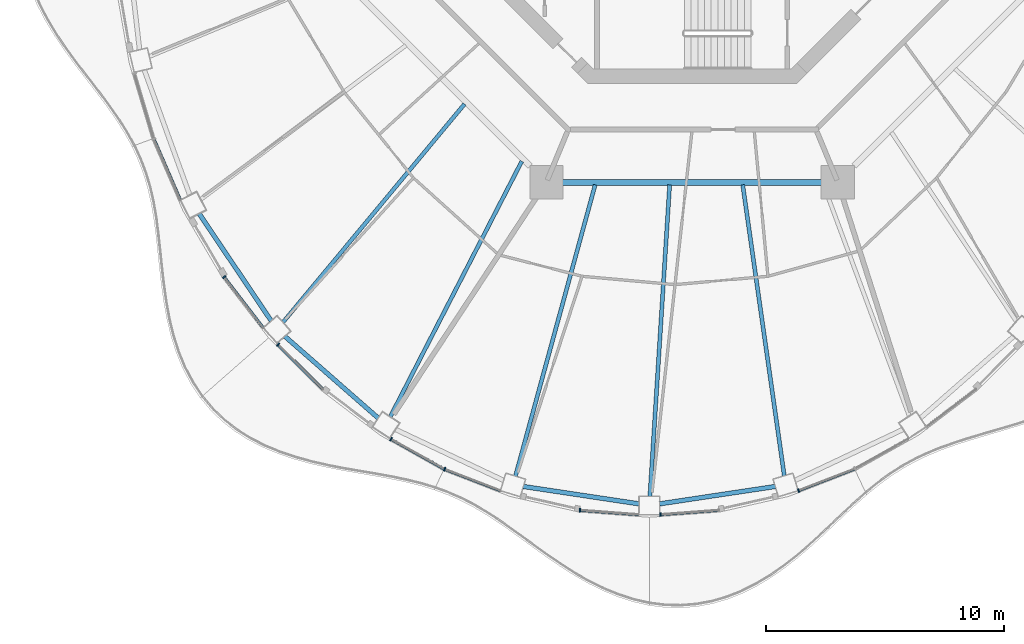
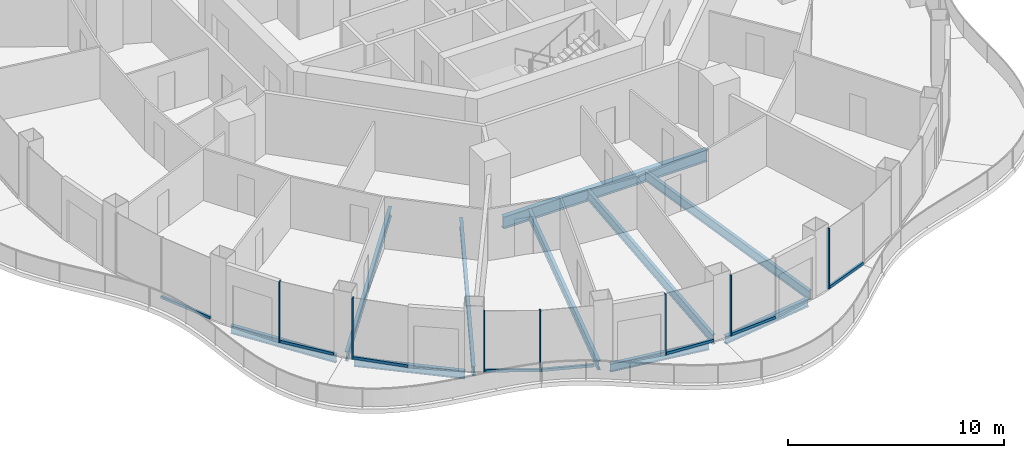
# One storey, part 2 of 17: 15 members, 10 beams, 8 elements without a shape of their own.
"""IFC4 building model written with IfcOpenShell, lengths in metres."""

import ifcopenshell
import ifcopenshell.guid

model = None  # the IFC model being written
_history = None  # IfcOwnerHistory: only IFC2X3 demands one
_inside = {}  # id of a spatial element -> (the spatial element, [elements in it])
_under = {}  # id of a project, library or spatial element -> (it, [spatial elements below it])
_declared = {}  # id of a project -> (the project, [libraries it declares])
_typed = {}  # id of a type object -> (the type object, [elements of that type])
_made_of = {}  # id of a material, layer set ... -> (it, [elements and type objects made of it])


def new_model(schema):
    """Start an empty IFC model of exactly this schema.

    Asked for "IFC4X3", IfcOpenShell would pick the latest addendum, in which some entities
    have other attributes; the version numbers below select the first issue.
    IFC2X3 requires an IfcOwnerHistory on every rooted entity: one is made here for all.
    """
    global model, _history
    if schema == "IFC4X3":
        model = ifcopenshell.file(schema_version=(4, 3, 0, 0))
    else:
        model = ifcopenshell.file(schema=schema)
    _inside.clear()
    _under.clear()
    _declared.clear()
    _typed.clear()
    _made_of.clear()
    _history = None
    if model.schema == "IFC2X3":
        org = make("IfcOrganization", Name="unknown")
        user = make(
            "IfcPersonAndOrganization",
            ThePerson=make("IfcPerson", FamilyName="unknown"),
            TheOrganization=org,
        )
        app = make(
            "IfcApplication",
            ApplicationDeveloper=org,
            Version="unknown",
            ApplicationFullName="unknown",
            ApplicationIdentifier="unknown",
        )
        _history = make(
            "IfcOwnerHistory",
            OwningUser=user,
            OwningApplication=app,
            ChangeAction="ADDED",
            CreationDate=0,
        )
    return model


def make(cls, **values):
    """One entity of the class cls with the attributes given. An attribute that is None is left unset."""
    return model.create_entity(
        cls, **{name: value for name, value in values.items() if value is not None}
    )


def rooted(cls, **values):
    """An entity with a GlobalId (a new one), such as an element, a storey or a relation."""
    return make(cls, GlobalId=ifcopenshell.guid.new(), OwnerHistory=_history, **values)


def si_unit(unit_type, name, prefix=None):
    """IfcSIUnit, for example si_unit("LENGTHUNIT", "METRE", prefix="MILLI")."""
    return make("IfcSIUnit", UnitType=unit_type, Prefix=prefix, Name=name)


def assignment(units):
    """IfcUnitAssignment: the units of a project."""
    return None if units is None else make("IfcUnitAssignment", Units=units)


def point(xyz):
    """IfcCartesianPoint."""
    return None if xyz is None else make("IfcCartesianPoint", Coordinates=xyz)


def direction(xyz):
    """IfcDirection."""
    return None if xyz is None else make("IfcDirection", DirectionRatios=xyz)


def frame(location, z_axis=None, x_axis=None):
    """IfcAxis2Placement3D, a coordinate frame: its origin and axes. An axis left out is left unset."""
    return make(
        "IfcAxis2Placement3D",
        Location=point(location),
        Axis=direction(z_axis),
        RefDirection=direction(x_axis),
    )


def frame_2d(location, x_axis=None):
    """IfcAxis2Placement2D, a coordinate frame in the plane: its origin and x axis."""
    return make(
        "IfcAxis2Placement2D", Location=point(location), RefDirection=direction(x_axis)
    )


def origin():
    """The frame at (0, 0, 0) with its axes left unset."""
    return frame((0.0, 0.0, 0.0))


def origin_2d():
    """The frame at (0, 0) in the plane with its x axis left unset."""
    return frame_2d((0.0, 0.0))


def place(relative_to, where):
    """IfcLocalPlacement: puts the frame where relative to a parent placement (None: the world)."""
    return make(
        "IfcLocalPlacement", PlacementRelTo=relative_to, RelativePlacement=where
    )


def context(
    kind, dimensions, precision=None, world=None, true_north=None, identifier=None
):
    """IfcGeometricRepresentationContext, for example the 3D "Model" context."""
    return make(
        "IfcGeometricRepresentationContext",
        ContextIdentifier=identifier,
        ContextType=kind,
        CoordinateSpaceDimension=dimensions,
        Precision=precision,
        WorldCoordinateSystem=world,
        TrueNorth=true_north,
    )


def subcontext(parent, identifier, kind, view, scale=None):
    """IfcGeometricRepresentationSubContext, for example "Body" below "Model"."""
    return make(
        "IfcGeometricRepresentationSubContext",
        ContextIdentifier=identifier,
        ContextType=kind,
        ParentContext=parent,
        TargetScale=scale,
        TargetView=view,
    )


def project(units=None, contexts=None):
    """IfcProject with its units and contexts."""
    return rooted(
        "IfcProject",
        Name="project",
        RepresentationContexts=contexts,
        UnitsInContext=assignment(units),
    )


def spatial(cls, under=None, at=None, **own):
    """A site, building, storey or space (cls), placed at a placement, below another one or the project."""
    s = rooted(cls, ObjectPlacement=at, **own)
    if under is not None:
        _under.setdefault(under.id(), (under, []))[1].append(s)
    return s


def profile(cls, at=None, kind="AREA", **sizes):
    """A parametric profile (cls). Its sizes go by their IFC names, for example OverallWidth=200.0."""
    return make(cls, ProfileType=kind, Position=at, **sizes)


def rectangle(**sizes):
    """IfcRectangleProfileDef."""
    return profile("IfcRectangleProfileDef", **sizes)


def i_section(**sizes):
    """IfcIShapeProfileDef."""
    return profile("IfcIShapeProfileDef", **sizes)


def extrude(swept, where, along, depth):
    """IfcExtrudedAreaSolid: the profile swept, set in the frame where, extruded along a direction by depth."""
    return make(
        "IfcExtrudedAreaSolid",
        SweptArea=swept,
        Position=where,
        ExtrudedDirection=direction(along),
        Depth=depth,
    )


def shape(context_of_items, identifier, shape_type, items):
    """IfcShapeRepresentation: the items that make up one representation, for example the "Body"."""
    return make(
        "IfcShapeRepresentation",
        ContextOfItems=context_of_items,
        RepresentationIdentifier=identifier,
        RepresentationType=shape_type,
        Items=items,
    )


def material(Name=None, Category=None):
    """IfcMaterial."""
    return make("IfcMaterial", Name=Name, Category=Category)


def layer(
    of_material, thickness, ventilated=None, Name=None, Category=None, Priority=None
):
    """IfcMaterialLayer: one layer of a wall or slab, of a material (None: an air gap)."""
    return make(
        "IfcMaterialLayer",
        Material=of_material,
        LayerThickness=thickness,
        IsVentilated=ventilated,
        Name=Name,
        Category=Category,
        Priority=Priority,
    )


def layer_set(layers, Name=None):
    """IfcMaterialLayerSet."""
    return make("IfcMaterialLayerSet", MaterialLayers=layers, LayerSetName=Name)


def material_profile(
    of_material, cross_section, Name=None, Category=None, Priority=None
):
    """IfcMaterialProfile: a cross section and its material."""
    return make(
        "IfcMaterialProfile",
        Name=Name,
        Material=of_material,
        Profile=cross_section,
        Priority=Priority,
        Category=Category,
    )


def profile_set(profiles, Name=None, composite=None):
    """IfcMaterialProfileSet."""
    return make(
        "IfcMaterialProfileSet",
        Name=Name,
        MaterialProfiles=profiles,
        CompositeProfile=composite,
    )


def made_of(thing, what):
    """Note that an element or type object is made of a material, layer set ...; save() writes the relation."""
    if what is not None:
        _made_of.setdefault(what.id(), (what, []))[1].append(thing)
    return thing


def type_object(cls, material=None, **own):
    """A type object (cls), such as IfcWallType, which elements share."""
    return made_of(rooted(cls, **own), material)


def element(
    cls,
    number,
    at=None,
    inside=None,
    cuts=None,
    type_object=None,
    material=None,
    context=None,
    identifier="Body",
    shape_type=None,
    held_by="IfcProductDefinitionShape",
    body=None,
    shapes=None,
    **own,
):
    """One element of the class cls, such as IfcWall. Its Tag is "e" and its number.

    at: its placement. inside: the storey or other place that contains it. cuts: it is an
    opening in that element (IfcRelVoidsElement). A single representation is given by context,
    identifier, shape_type and body (its items); several are given by shapes. held_by: the class
    of the entity that holds the representations. save() writes the other relations.
    """
    e = rooted(cls, Tag="e%d" % number, ObjectPlacement=at, **own)
    if body is not None:
        shapes = [shape(context, identifier, shape_type, body)]
    if shapes is not None:
        e.Representation = make(held_by, Representations=shapes)
    if inside is not None:
        _inside.setdefault(inside.id(), (inside, []))[1].append(e)
    if cuts is not None:
        rooted(
            "IfcRelVoidsElement", RelatingBuildingElement=cuts, RelatedOpeningElement=e
        )
    if type_object is not None:
        _typed.setdefault(type_object.id(), (type_object, []))[1].append(e)
    return made_of(e, material)


def aggregate(whole, parts):
    """IfcRelAggregates: a whole, such as a stair, and the parts it consists of."""
    return rooted("IfcRelAggregates", RelatingObject=whole, RelatedObjects=parts)


def save(model, path):
    """Write the relations noted so far, then the file.

    IfcRelAggregates (storeys below a building ...), IfcRelContainedInSpatialStructure (elements
    in a storey), IfcRelDefinesByType, IfcRelAssociatesMaterial and IfcRelDeclares: one each for
    every whole, place, type object, material and project.
    """
    for whole, parts in _under.values():
        aggregate(whole, parts)
    for where, things in _inside.values():
        rooted(
            "IfcRelContainedInSpatialStructure",
            RelatedElements=things,
            RelatingStructure=where,
        )
    for kind, things in _typed.values():
        rooted("IfcRelDefinesByType", RelatedObjects=things, RelatingType=kind)
    for what, things in _made_of.values():
        rooted("IfcRelAssociatesMaterial", RelatedObjects=things, RelatingMaterial=what)
    for by, libraries in _declared.values():
        rooted("IfcRelDeclares", RelatingContext=by, RelatedDefinitions=libraries)
    model.write(path)


model = new_model("IFC4")

# Units and contexts
model_context = context("Model", 3, precision=1e-05, world=origin(), true_north=direction((0.0, 1.0)))
body_context = subcontext(model_context, "Body", "Model", "MODEL_VIEW")
ifc_project = project(units=[si_unit("LENGTHUNIT", "METRE"), si_unit("AREAUNIT", "SQUARE_METRE"), si_unit("VOLUMEUNIT", "CUBIC_METRE"), si_unit("PLANEANGLEUNIT", "RADIAN"), si_unit("MASSUNIT", "GRAM", prefix="KILO")], contexts=[model_context])

# Site, building, storey
site_placement = place(None, origin())
site = spatial("IfcSite", under=ifc_project, at=site_placement, CompositionType="ELEMENT")
building_placement = place(site_placement, origin())
building = spatial("IfcBuilding", under=site, at=building_placement, Name="Nagisa Residences", CompositionType="ELEMENT")
storey_placement = place(building_placement, frame((0.0, 0.0, 277.0)))
storey = spatial("IfcBuildingStorey", under=building, at=storey_placement, Name="L70", CompositionType="ELEMENT", Elevation=277.0)

# Curtain wall, member
ifc_material_1 = material(Name="Concrete-coloured aluminium curtain wall system", Category="concrete")
ifc_layer = layer(ifc_material_1, 0.159912109375)
ifc_layer_set = layer_set([ifc_layer], Name="CW1 CURTAIN WALL")
curtain_wall_type = type_object("IfcCurtainWallType", Name="CW1 CURTAIN WALL", PredefinedType="NOTDEFINED", material=ifc_layer_set)
curtain_wall_1_placement = place(storey_placement, origin())
curtain_wall_1 = element("IfcCurtainWall", 1, at=curtain_wall_1_placement, inside=storey, type_object=curtain_wall_type, Name="cw:CW1:L70:29", PredefinedType="NOTDEFINED")
ifc_material_2 = material(Name="Concrete-coloured aluminium", Category="concrete")
ifc_material_profile_1 = material_profile(ifc_material_2, rectangle(XDim=0.159912109375, YDim=0.06005859375, at=origin_2d()), Name="CW1 MULLION 160x60")
ifc_profile_set_1 = profile_set([ifc_material_profile_1], Name="Concrete-coloured aluminium")
member_type_1 = type_object("IfcMemberType", Name="CW1 MULLION 160x60", PredefinedType="MULLION", material=ifc_profile_set_1)
member_1_placement = place(storey_placement, frame((-19.6640625, -18.76220703125, 0.0), z_axis=(0.0, 0.0, 1.0), x_axis=(0.792070340816, 0.610429828235, 0.0)))
member_1 = element("IfcMember", 2, at=member_1_placement, type_object=member_type_1, Name="CW1 mullion", PredefinedType="MULLION", context=body_context, shape_type="SweptSolid", body=[
    extrude(rectangle(XDim=0.159912109375, YDim=0.06005859375, at=origin_2d()), origin(), (0.0, 0.0, 1.0), 3.43994140625),
])

curtain_wall_2_placement = place(storey_placement, origin())
curtain_wall_2 = element("IfcCurtainWall", 3, at=curtain_wall_2_placement, inside=storey, type_object=curtain_wall_type, Name="cw:CW1:L70:30", PredefinedType="NOTDEFINED")
member_2_placement = place(storey_placement, frame((-17.3984375, -21.60107421875, 0.0), z_axis=(0.0, 0.0, 1.0), x_axis=(0.706376885714, 0.707835924016, 0.0)))
member_2 = element("IfcMember", 4, at=member_2_placement, type_object=member_type_1, Name="CW1 mullion", PredefinedType="MULLION", context=body_context, shape_type="SweptSolid", body=[
    extrude(rectangle(XDim=0.159912109375, YDim=0.06005859375, at=origin_2d()), origin(), (0.0, 0.0, 1.0), 3.43994140625),
])

curtain_wall_3_placement = place(storey_placement, origin())
curtain_wall_3 = element("IfcCurtainWall", 5, at=curtain_wall_3_placement, inside=storey, type_object=curtain_wall_type, Name="cw:CW1:L70:32", PredefinedType="NOTDEFINED")
member_3_placement = place(storey_placement, frame((-12.65234375, -25.57421875, 0.0), z_axis=(0.0, 0.0, 1.0), x_axis=(0.489376918501, 0.872072377523, 0.0)))
member_3 = element("IfcMember", 6, at=member_3_placement, type_object=member_type_1, Name="CW1 mullion", PredefinedType="MULLION", context=body_context, shape_type="SweptSolid", body=[
    extrude(rectangle(XDim=0.159912109375, YDim=0.06005859375, at=origin_2d()), origin(), (0.0, 0.0, 1.0), 3.43994140625),
])

curtain_wall_4_placement = place(storey_placement, origin())
curtain_wall_4 = element("IfcCurtainWall", 7, at=curtain_wall_4_placement, inside=storey, type_object=curtain_wall_type, Name="cw:CW1:L70:33", PredefinedType="NOTDEFINED")
member_4_placement = place(storey_placement, frame((-10.3994140625, -26.83447265625, 0.0), z_axis=(0.0, 0.0, 1.0), x_axis=(0.360327770268, 0.932825759707, 0.0)))
member_4 = element("IfcMember", 8, at=member_4_placement, type_object=member_type_1, Name="CW1 mullion", PredefinedType="MULLION", context=body_context, shape_type="SweptSolid", body=[
    extrude(rectangle(XDim=0.159912109375, YDim=0.06005859375, at=origin_2d()), origin(), (0.0, 0.0, 1.0), 3.43994140625),
])

curtain_wall_5_placement = place(storey_placement, origin())
curtain_wall_5 = element("IfcCurtainWall", 9, at=curtain_wall_5_placement, inside=storey, type_object=curtain_wall_type, Name="cw:CW1:L70:35", PredefinedType="NOTDEFINED")
member_5_placement = place(storey_placement, frame((-4.716552734375, -28.559814453125, 0.0), z_axis=(0.0, 0.0, 1.0), x_axis=(0.074377355493, 0.997230168512, 0.0)))
member_5 = element("IfcMember", 10, at=member_5_placement, type_object=member_type_1, Name="CW1 mullion", PredefinedType="MULLION", context=body_context, shape_type="SweptSolid", body=[
    extrude(rectangle(XDim=0.159912109375, YDim=0.06005859375, at=origin_2d()), origin(), (0.0, 0.0, 1.0), 3.43994140625),
])

curtain_wall_6_placement = place(storey_placement, origin())
curtain_wall_6 = element("IfcCurtainWall", 11, at=curtain_wall_6_placement, inside=storey, type_object=curtain_wall_type, Name="cw:CW1:L70:36", PredefinedType="NOTDEFINED")
member_6_placement = place(storey_placement, frame((-1.327392578125, -28.7421875, 0.0), z_axis=(0.0, 0.0, 1.0), x_axis=(-0.074377355493, 0.997230168512, 0.0)))
member_6 = element("IfcMember", 12, at=member_6_placement, type_object=member_type_1, Name="CW1 mullion", PredefinedType="MULLION", context=body_context, shape_type="SweptSolid", body=[
    extrude(rectangle(XDim=0.159912109375, YDim=0.06005859375, at=origin_2d()), origin(), (0.0, 0.0, 1.0), 3.43994140625),
])

curtain_wall_7_placement = place(storey_placement, origin())
curtain_wall_7 = element("IfcCurtainWall", 13, at=curtain_wall_7_placement, inside=storey, type_object=curtain_wall_type, Name="cw:CW1:L70:38", PredefinedType="NOTDEFINED")
member_7_placement = place(storey_placement, frame((4.473388671875, -27.733154296875, 0.0), z_axis=(0.0, 0.0, 1.0), x_axis=(-0.360327770268, 0.932825759707, 0.0)))
member_7 = element("IfcMember", 14, at=member_7_placement, type_object=member_type_1, Name="CW1 mullion", PredefinedType="MULLION", context=body_context, shape_type="SweptSolid", body=[
    extrude(rectangle(XDim=0.159912109375, YDim=0.06005859375, at=origin_2d()), origin(), (0.0, 0.0, 1.0), 3.43994140625),
])

curtain_wall_8_placement = place(storey_placement, origin())
curtain_wall_8 = element("IfcCurtainWall", 15, at=curtain_wall_8_placement, inside=storey, type_object=curtain_wall_type, Name="cw:CW1:L70:27", PredefinedType="NOTDEFINED")
ifc_material_3 = material(Name="Concrete-coloured aluminium", Category="concrete")
ifc_material_profile_2 = material_profile(ifc_material_3, rectangle(XDim=0.1201171875, YDim=0.14990234375, at=origin_2d()), Name="CW1 TRANSOM 120x150")
ifc_profile_set_2 = profile_set([ifc_material_profile_2], Name="Concrete-coloured aluminium")
member_type_2 = type_object("IfcMemberType", Name="CW1 TRANSOM 120x150", PredefinedType="USERDEFINED", material=ifc_profile_set_2)
member_8_placement = place(storey_placement, frame((-22.624755859375, -12.93603515625, 0.074951171875), z_axis=(0.397597791596, -0.9175598052, 0.0), x_axis=(0.9175598052, 0.397597791596, 0.0)))
member_8 = element("IfcMember", 16, at=member_8_placement, type_object=member_type_2, Name="CW1 transom", ObjectType="TRANSOM", PredefinedType="USERDEFINED", context=body_context, shape_type="SweptSolid", body=[
    extrude(rectangle(XDim=0.1201171875, YDim=0.14990234375, at=origin_2d()), origin(), (0.0, 0.0, 1.0), 2.841064453125),
])
aggregate(curtain_wall_8, [member_8])

# Member
member_9_placement = place(storey_placement, frame((-19.682373046875, -18.73828125, 0.074951171875), z_axis=(0.610432336622, -0.792068407656, 0.0), x_axis=(0.792068407656, 0.610432336622, 0.0)))
member_9 = element("IfcMember", 17, at=member_9_placement, type_object=member_type_2, Name="CW1 transom", ObjectType="TRANSOM", PredefinedType="USERDEFINED", context=body_context, shape_type="SweptSolid", body=[
    extrude(rectangle(XDim=0.1201171875, YDim=0.14990234375, at=origin_2d()), origin(), (0.0, 0.0, 1.0), 2.74609375),
])

aggregate(curtain_wall_1, [member_1, member_9])

member_10_placement = place(storey_placement, frame((-17.419677734375, -21.579833984375, 0.074951171875), z_axis=(0.707831739508, -0.706381078841, 0.0), x_axis=(0.706381078841, 0.707831739508, 0.0)))
member_10 = element("IfcMember", 18, at=member_10_placement, type_object=member_type_2, Name="CW1 transom", ObjectType="TRANSOM", PredefinedType="USERDEFINED", context=body_context, shape_type="SweptSolid", body=[
    extrude(rectangle(XDim=0.1201171875, YDim=0.14990234375, at=origin_2d()), origin(), (0.0, 0.0, 1.0), 2.692626953125),
])

aggregate(curtain_wall_2, [member_2, member_10])

member_11_placement = place(storey_placement, frame((-12.678466796875, -25.5595703125, 0.074951171875), z_axis=(0.872052877201, -0.489411666561, 0.0), x_axis=(0.489411666561, 0.872052877201, 0.0)))
member_11 = element("IfcMember", 19, at=member_11_placement, type_object=member_type_2, Name="CW1 transom", ObjectType="TRANSOM", PredefinedType="USERDEFINED", context=body_context, shape_type="SweptSolid", body=[
    extrude(rectangle(XDim=0.1201171875, YDim=0.14990234375, at=origin_2d()), origin(), (0.0, 0.0, 1.0), 2.593017578125),
])

aggregate(curtain_wall_3, [member_3, member_11])

member_12_placement = place(storey_placement, frame((-10.427490234375, -26.82373046875, 0.074951171875), z_axis=(0.93282223778, -0.360336887792, 0.0), x_axis=(0.360336887792, 0.93282223778, 0.0)))
member_12 = element("IfcMember", 20, at=member_12_placement, type_object=member_type_2, Name="CW1 transom", ObjectType="TRANSOM", PredefinedType="USERDEFINED", context=body_context, shape_type="SweptSolid", body=[
    extrude(rectangle(XDim=0.1201171875, YDim=0.14990234375, at=origin_2d()), origin(), (0.0, 0.0, 1.0), 2.5537109375),
])

aggregate(curtain_wall_4, [member_4, member_12])

member_13_placement = place(storey_placement, frame((-4.74658203125, -28.5576171875, 0.074951171875), z_axis=(0.99722914645, -0.074391057731, 0.0), x_axis=(0.074391057731, 0.99722914645, 0.0)))
member_13 = element("IfcMember", 21, at=member_13_placement, type_object=member_type_2, Name="CW1 transom", ObjectType="TRANSOM", PredefinedType="USERDEFINED", context=body_context, shape_type="SweptSolid", body=[
    extrude(rectangle(XDim=0.1201171875, YDim=0.14990234375, at=origin_2d()), origin(), (0.0, 0.0, 1.0), 2.510498046875),
])

aggregate(curtain_wall_5, [member_5, member_13])

member_14_placement = place(storey_placement, frame((-1.357177734375, -28.744384765625, 0.074951171875), z_axis=(0.99722914645, 0.074391057731, 0.0), x_axis=(-0.074391057731, 0.99722914645, 0.0)))
member_14 = element("IfcMember", 22, at=member_14_placement, type_object=member_type_2, Name="CW1 transom", ObjectType="TRANSOM", PredefinedType="USERDEFINED", context=body_context, shape_type="SweptSolid", body=[
    extrude(rectangle(XDim=0.1201171875, YDim=0.14990234375, at=origin_2d()), origin(), (0.0, 0.0, 1.0), 2.510498046875),
])

aggregate(curtain_wall_6, [member_6, member_14])

member_15_placement = place(storey_placement, frame((4.4453125, -27.743896484375, 0.074951171875), z_axis=(0.93282223778, 0.360336887792, 0.0), x_axis=(-0.360336887792, 0.93282223778, 0.0)))
member_15 = element("IfcMember", 23, at=member_15_placement, type_object=member_type_2, Name="CW1 transom", ObjectType="TRANSOM", PredefinedType="USERDEFINED", context=body_context, shape_type="SweptSolid", body=[
    extrude(rectangle(XDim=0.1201171875, YDim=0.14990234375, at=origin_2d()), origin(), (0.0, 0.0, 1.0), 2.5537109375),
])

aggregate(curtain_wall_7, [member_7, member_15])

# Beams
ifc_material_4 = material(Name="Steel ASTM A572 Gr 50", Category="steel")
ifc_material_profile_3 = material_profile(ifc_material_4, i_section(OverallWidth=0.2529296875, OverallDepth=0.677978515625, WebThickness=0.01171875, FlangeThickness=0.016357421875, at=origin_2d()), Name="W690x125")
ifc_profile_set_3 = profile_set([ifc_material_profile_3], Name="Steel ASTM A572 Gr 50")
beam_type_1 = type_object("IfcBeamType", Name="Inner ring beam W690x125", PredefinedType="BEAM", material=ifc_profile_set_3)
beam_1_placement = place(storey_placement, frame((-5.44287109375, -14.781982421875, -0.59912109375), z_axis=(1.0, 0.0, 0.0), x_axis=(0.0, 1.0, 0.0)))
element("IfcBeam", 24, at=beam_1_placement, inside=storey, type_object=beam_type_1, Name="beam:L70:ib6", PredefinedType="BEAM", context=body_context, shape_type="SweptSolid", body=[
    extrude(i_section(OverallWidth=0.2529296875, OverallDepth=0.677978515625, WebThickness=0.01171875, FlangeThickness=0.016357421875, at=origin_2d()), origin(), (0.0, 0.0, 1.0), 10.8857421875),
])
ifc_material_5 = material(Name="Steel ASTM A572 Gr 50", Category="steel")
ifc_material_profile_4 = material_profile(ifc_material_5, i_section(OverallWidth=0.18994140625, OverallDepth=0.45703125, WebThickness=0.009033203125, FlangeThickness=0.014404296875, at=origin_2d()), Name="W460x74")
ifc_profile_set_4 = profile_set([ifc_material_profile_4], Name="Steel ASTM A572 Gr 50")
beam_type_2 = type_object("IfcBeamType", Name="Perimeter ring beam W460x74", PredefinedType="BEAM", material=ifc_profile_set_4)
beam_2_placement = place(storey_placement, frame((-20.714599609375, -16.097412109375, -0.488525390625), z_axis=(0.558014665254, -0.829831087247, 0.0), x_axis=(0.829831087247, 0.558014665254, 0.0)))
element("IfcBeam", 25, at=beam_2_placement, inside=storey, type_object=beam_type_2, Name="beam:L70:pb15", PredefinedType="BEAM", context=body_context, shape_type="SweptSolid", body=[
    extrude(i_section(OverallWidth=0.18994140625, OverallDepth=0.45703125, WebThickness=0.009033203125, FlangeThickness=0.014404296875, at=origin_2d()), origin(), (0.0, 0.0, 1.0), 5.43212890625),
])
beam_3_placement = place(storey_placement, frame((-17.11474609375, -21.2509765625, -0.488525390625), z_axis=(0.752365189148, -0.658746250204, 0.0), x_axis=(0.658746250204, 0.752365189148, 0.0)))
element("IfcBeam", 26, at=beam_3_placement, inside=storey, type_object=beam_type_2, Name="beam:L70:pb16", PredefinedType="BEAM", context=body_context, shape_type="SweptSolid", body=[
    extrude(i_section(OverallWidth=0.18994140625, OverallDepth=0.45703125, WebThickness=0.009033203125, FlangeThickness=0.014404296875, at=origin_2d()), origin(), (0.0, 0.0, 1.0), 5.220947265625),
])
beam_4_placement = place(storey_placement, frame((-7.094970703125, -27.562255859375, -0.488525390625), z_axis=(0.98890648267, -0.148539451101, 0.0), x_axis=(0.148539451101, 0.98890648267, 0.0)))
element("IfcBeam", 27, at=beam_4_placement, inside=storey, type_object=beam_type_2, Name="beam:L70:pb18", PredefinedType="BEAM", context=body_context, shape_type="SweptSolid", body=[
    extrude(i_section(OverallWidth=0.18994140625, OverallDepth=0.45703125, WebThickness=0.009033203125, FlangeThickness=0.014404296875, at=origin_2d()), origin(), (0.0, 0.0, 1.0), 4.91943359375),
])
beam_5_placement = place(storey_placement, frame((-1.369873046875, -28.29296875, -0.488525390625), z_axis=(0.988907577601, 0.148532161377, 0.0), x_axis=(-0.148532161377, 0.988907577601, 0.0)))
element("IfcBeam", 28, at=beam_5_placement, inside=storey, type_object=beam_type_2, Name="beam:L70:pb19", PredefinedType="BEAM", context=body_context, shape_type="SweptSolid", body=[
    extrude(i_section(OverallWidth=0.18994140625, OverallDepth=0.45703125, WebThickness=0.009033203125, FlangeThickness=0.014404296875, at=origin_2d()), origin(), (0.0, 0.0, 1.0), 4.919677734375),
])
ifc_material_6 = material(Name="Steel ASTM A572 Gr 50", Category="steel")
ifc_material_profile_5 = material_profile(ifc_material_6, i_section(OverallWidth=0.166015625, OverallDepth=0.534912109375, WebThickness=0.01025390625, FlangeThickness=0.0166015625, at=origin_2d()), Name="W530x85")
ifc_profile_set_5 = profile_set([ifc_material_profile_5], Name="Steel ASTM A572 Gr 50")
beam_type_3 = type_object("IfcBeamType", Name="Radial beam W530x85", PredefinedType="BEAM", material=ifc_profile_set_5)
beam_6_placement = place(storey_placement, frame((-17.195068359375, -20.669189453125, -0.527587890625), z_axis=(0.639540330466, 0.768757546764, 0.0), x_axis=(-0.768757546764, 0.639540330466, 0.0)))
element("IfcBeam", 29, at=beam_6_placement, inside=storey, type_object=beam_type_3, Name="beam:L70:rb16", PredefinedType="BEAM", context=body_context, shape_type="SweptSolid", body=[
    extrude(i_section(OverallWidth=0.166015625, OverallDepth=0.534912109375, WebThickness=0.01025390625, FlangeThickness=0.0166015625, at=origin_2d()), origin(), (0.0, 0.0, 1.0), 11.935302734375),
])
beam_7_placement = place(storey_placement, frame((-12.68505859375, -24.63623046875, -0.527587890625), z_axis=(0.457775990682, 0.88906756906, 0.0), x_axis=(-0.88906756906, 0.457775990682, 0.0)))
element("IfcBeam", 30, at=beam_7_placement, inside=storey, type_object=beam_type_3, Name="beam:L70:rb17", PredefinedType="BEAM", context=body_context, shape_type="SweptSolid", body=[
    extrude(i_section(OverallWidth=0.166015625, OverallDepth=0.534912109375, WebThickness=0.01025390625, FlangeThickness=0.0166015625, at=origin_2d()), origin(), (0.0, 0.0, 1.0), 12.075927734375),
])
beam_8_placement = place(storey_placement, frame((-7.4248046875, -27.130859375, -0.527587890625), z_axis=(0.263957181957, 0.964534398606, 0.0), x_axis=(-0.964534398606, 0.263957181957, 0.0)))
element("IfcBeam", 31, at=beam_8_placement, inside=storey, type_object=beam_type_3, Name="beam:L70:rb18", PredefinedType="BEAM", context=body_context, shape_type="SweptSolid", body=[
    extrude(i_section(OverallWidth=0.166015625, OverallDepth=0.534912109375, WebThickness=0.01025390625, FlangeThickness=0.0166015625, at=origin_2d()), origin(), (0.0, 0.0, 1.0), 12.69189453125),
])
beam_9_placement = place(storey_placement, frame((-1.77587890625, -27.9775390625, -0.527587890625), z_axis=(0.06334711, 0.997991554901, 0.0), x_axis=(-0.997991554901, 0.06334711, 0.0)))
element("IfcBeam", 32, at=beam_9_placement, inside=storey, type_object=beam_type_3, Name="beam:L70:rb19", PredefinedType="BEAM", context=body_context, shape_type="SweptSolid", body=[
    extrude(i_section(OverallWidth=0.166015625, OverallDepth=0.534912109375, WebThickness=0.01025390625, FlangeThickness=0.0166015625, at=origin_2d()), origin(), (0.0, 0.0, 1.0), 13.115234375),
])
beam_10_placement = place(storey_placement, frame((3.87060546875, -27.11669921875, -0.527587890625), z_axis=(-0.141302367909, 0.989966484697, 0.0), x_axis=(-0.989966484697, -0.141302367909, 0.0)))
element("IfcBeam", 33, at=beam_10_placement, inside=storey, type_object=beam_type_3, Name="beam:L70:rb20", PredefinedType="BEAM", context=body_context, shape_type="SweptSolid", body=[
    extrude(i_section(OverallWidth=0.166015625, OverallDepth=0.534912109375, WebThickness=0.01025390625, FlangeThickness=0.0166015625, at=origin_2d()), origin(), (0.0, 0.0, 1.0), 12.35205078125),
])

save(model, "model.ifc")
